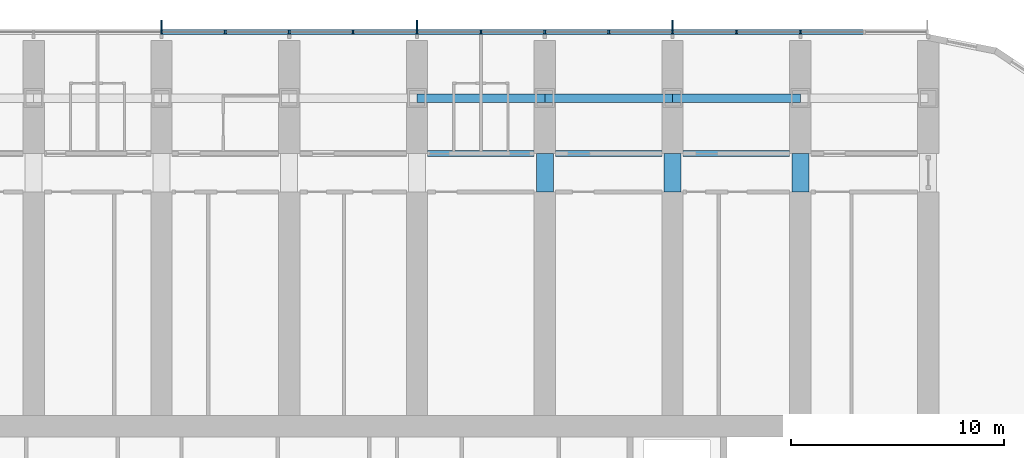
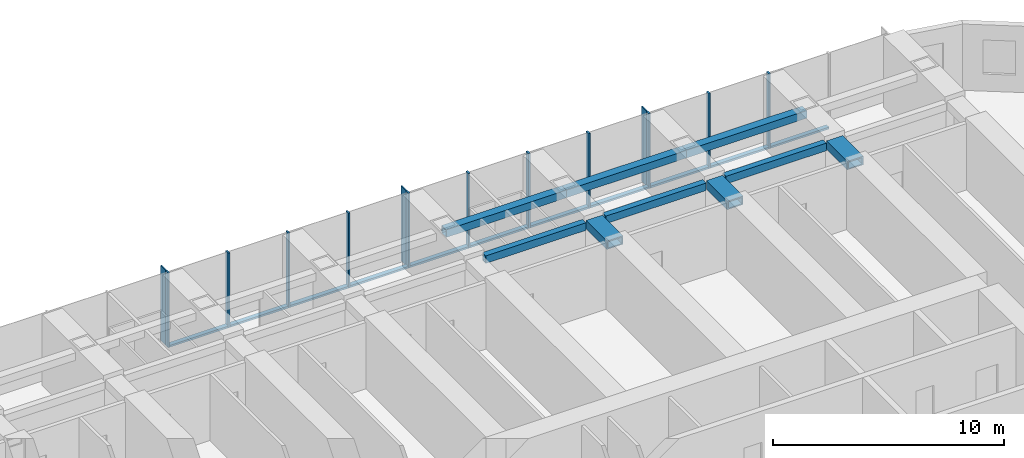
# One storey, part 7 of 26: 25 members, 9 beams, 1 element without a shape of its own.
"""IFC4 building model written with IfcOpenShell, lengths in metres."""

from ifc_helpers import new_model, si_unit, direction, frame, origin, origin_2d, place, context, subcontext, project, spatial, rectangle, hollow_rectangle, extrude, material, material_profile, profile_set, type_object, element, aggregate, save


model = new_model("IFC4")

# Units and contexts
model_context = context("Model", 3, precision=1e-05, world=origin(), true_north=direction((0.0, 1.0)))
body_context = subcontext(model_context, "Body", "Model", "MODEL_VIEW")
ifc_project = project(units=[si_unit("LENGTHUNIT", "METRE"), si_unit("AREAUNIT", "SQUARE_METRE"), si_unit("VOLUMEUNIT", "CUBIC_METRE"), si_unit("PLANEANGLEUNIT", "RADIAN"), si_unit("MASSUNIT", "GRAM", prefix="KILO")], contexts=[model_context])

# Site, building, storey
site_placement = place(None, origin())
site = spatial("IfcSite", under=ifc_project, at=site_placement, CompositionType="ELEMENT")
building_placement = place(site_placement, origin())
building = spatial("IfcBuilding", under=site, at=building_placement, Name="Orbita Commons", CompositionType="ELEMENT")
storey_placement = place(building_placement, frame((0.0, 0.0, 53.949951171875)))
storey = spatial("IfcBuildingStorey", under=building, at=storey_placement, Name="L13", CompositionType="ELEMENT", Elevation=53.949951171875)

# Curtain wall, members
ifc_material_1 = material(Name="Anodised aluminium frame, pale silver", Category="aluminium")
curtain_wall_type = type_object("IfcCurtainWallType", Name="Unitised curtain wall CW-T, vision and spandrel", PredefinedType="NOTDEFINED", material=ifc_material_1)
curtain_wall_placement = place(storey_placement, origin())
curtain_wall = element("IfcCurtainWall", 1, at=curtain_wall_placement, inside=storey, type_object=curtain_wall_type, Name="Curtain wall north L13", PredefinedType="NOTDEFINED")
ifc_material_2 = material(Name="Anodised aluminium, pale silver", Category="aluminium")
ifc_material_profile_1 = material_profile(ifc_material_2, rectangle(XDim=0.080078125, YDim=0.219970703125, at=origin_2d()), Name="AL 80x220")
ifc_profile_set_1 = profile_set([ifc_material_profile_1], Name="Anodised aluminium, pale silver")
member_type_1 = type_object("IfcMemberType", Name="Curtain wall mullion 80x220", PredefinedType="MULLION", material=ifc_profile_set_1)
member_1_placement = place(storey_placement, frame((66.0, 56.7099609375, -0.449951171875), z_axis=(0.0, 0.0, 1.0), x_axis=(-1.0, 0.0, 0.0)))
member_1 = element("IfcMember", 2, at=member_1_placement, type_object=member_type_1, Name="Mullion 3 CW-L13-N", PredefinedType="MULLION", context=body_context, shape_type="SweptSolid", body=[
    extrude(rectangle(XDim=0.080078125, YDim=0.219970703125, at=origin_2d()), origin(), (0.0, 0.0, 1.0), 3.949951171875),
])
member_2_placement = place(storey_placement, frame((63.0, 56.7099609375, -0.449951171875), z_axis=(0.0, 0.0, 1.0), x_axis=(-1.0, 0.0, 0.0)))
member_2 = element("IfcMember", 3, at=member_2_placement, type_object=member_type_1, Name="Mullion 4 CW-L13-N", PredefinedType="MULLION", context=body_context, shape_type="SweptSolid", body=[
    extrude(rectangle(XDim=0.080078125, YDim=0.219970703125, at=origin_2d()), origin(), (0.0, 0.0, 1.0), 3.949951171875),
])
member_3_placement = place(storey_placement, frame((60.0, 56.7099609375, -0.449951171875), z_axis=(0.0, 0.0, 1.0), x_axis=(-1.0, 0.0, 0.0)))
member_3 = element("IfcMember", 4, at=member_3_placement, type_object=member_type_1, Name="Mullion 5 CW-L13-N", PredefinedType="MULLION", context=body_context, shape_type="SweptSolid", body=[
    extrude(rectangle(XDim=0.080078125, YDim=0.219970703125, at=origin_2d()), origin(), (0.0, 0.0, 1.0), 3.949951171875),
])
member_4_placement = place(storey_placement, frame((57.0, 56.7099609375, -0.449951171875), z_axis=(0.0, 0.0, 1.0), x_axis=(-1.0, 0.0, 0.0)))
member_4 = element("IfcMember", 5, at=member_4_placement, type_object=member_type_1, Name="Mullion 6 CW-L13-N", PredefinedType="MULLION", context=body_context, shape_type="SweptSolid", body=[
    extrude(rectangle(XDim=0.080078125, YDim=0.219970703125, at=origin_2d()), origin(), (0.0, 0.0, 1.0), 3.949951171875),
])
member_5_placement = place(storey_placement, frame((54.0, 56.7099609375, -0.449951171875), z_axis=(0.0, 0.0, 1.0), x_axis=(-1.0, 0.0, 0.0)))
member_5 = element("IfcMember", 6, at=member_5_placement, type_object=member_type_1, Name="Mullion 7 CW-L13-N", PredefinedType="MULLION", context=body_context, shape_type="SweptSolid", body=[
    extrude(rectangle(XDim=0.080078125, YDim=0.219970703125, at=origin_2d()), origin(), (0.0, 0.0, 1.0), 3.949951171875),
])
member_6_placement = place(storey_placement, frame((51.0, 56.7099609375, -0.449951171875), z_axis=(0.0, 0.0, 1.0), x_axis=(-1.0, 0.0, 0.0)))
member_6 = element("IfcMember", 7, at=member_6_placement, type_object=member_type_1, Name="Mullion 8 CW-L13-N", PredefinedType="MULLION", context=body_context, shape_type="SweptSolid", body=[
    extrude(rectangle(XDim=0.080078125, YDim=0.219970703125, at=origin_2d()), origin(), (0.0, 0.0, 1.0), 3.949951171875),
])
member_7_placement = place(storey_placement, frame((48.0, 56.7099609375, -0.449951171875), z_axis=(0.0, 0.0, 1.0), x_axis=(-1.0, 0.0, 0.0)))
member_7 = element("IfcMember", 8, at=member_7_placement, type_object=member_type_1, Name="Mullion 9 CW-L13-N", PredefinedType="MULLION", context=body_context, shape_type="SweptSolid", body=[
    extrude(rectangle(XDim=0.080078125, YDim=0.219970703125, at=origin_2d()), origin(), (0.0, 0.0, 1.0), 3.949951171875),
])
member_8_placement = place(storey_placement, frame((45.0, 56.7099609375, -0.449951171875), z_axis=(0.0, 0.0, 1.0), x_axis=(-1.0, 0.0, 0.0)))
member_8 = element("IfcMember", 9, at=member_8_placement, type_object=member_type_1, Name="Mullion 10 CW-L13-N", PredefinedType="MULLION", context=body_context, shape_type="SweptSolid", body=[
    extrude(rectangle(XDim=0.080078125, YDim=0.219970703125, at=origin_2d()), origin(), (0.0, 0.0, 1.0), 3.949951171875),
])
member_9_placement = place(storey_placement, frame((42.0, 56.7099609375, -0.449951171875), z_axis=(0.0, 0.0, 1.0), x_axis=(-1.0, 0.0, 0.0)))
member_9 = element("IfcMember", 10, at=member_9_placement, type_object=member_type_1, Name="Mullion 11 CW-L13-N", PredefinedType="MULLION", context=body_context, shape_type="SweptSolid", body=[
    extrude(rectangle(XDim=0.080078125, YDim=0.219970703125, at=origin_2d()), origin(), (0.0, 0.0, 1.0), 3.949951171875),
])
member_10_placement = place(storey_placement, frame((39.0, 56.7099609375, -0.449951171875), z_axis=(0.0, 0.0, 1.0), x_axis=(-1.0, 0.0, 0.0)))
member_10 = element("IfcMember", 11, at=member_10_placement, type_object=member_type_1, Name="Mullion 12 CW-L13-N", PredefinedType="MULLION", context=body_context, shape_type="SweptSolid", body=[
    extrude(rectangle(XDim=0.080078125, YDim=0.219970703125, at=origin_2d()), origin(), (0.0, 0.0, 1.0), 3.949951171875),
])
member_11_placement = place(storey_placement, frame((36.0, 56.7099609375, -0.449951171875), z_axis=(0.0, 0.0, 1.0), x_axis=(-1.0, 0.0, 0.0)))
member_11 = element("IfcMember", 12, at=member_11_placement, type_object=member_type_1, Name="Mullion 13 CW-L13-N", PredefinedType="MULLION", context=body_context, shape_type="SweptSolid", body=[
    extrude(rectangle(XDim=0.080078125, YDim=0.219970703125, at=origin_2d()), origin(), (0.0, 0.0, 1.0), 3.949951171875),
])
ifc_material_3 = material(Name="Anodised aluminium, pale silver", Category="aluminium")
ifc_material_profile_2 = material_profile(ifc_material_3, rectangle(XDim=0.219970703125, YDim=0.10009765625, at=origin_2d()), Name="AL 220x100")
ifc_profile_set_2 = profile_set([ifc_material_profile_2], Name="Anodised aluminium, pale silver")
member_type_2 = type_object("IfcMemberType", Name="Curtain wall stack transom 220x100", PredefinedType="USERDEFINED", material=ifc_profile_set_2)
member_12_placement = place(storey_placement, frame((68.9599609375, 56.7099609375, -0.39990234375), z_axis=(-1.0, 0.0, 0.0), x_axis=(0.0, -1.0, 0.0)))
member_12 = element("IfcMember", 13, at=member_12_placement, type_object=member_type_2, Name="Transom 2.1 CW-L13-N", ObjectType="TRANSOM", PredefinedType="USERDEFINED", context=body_context, shape_type="SweptSolid", body=[
    extrude(rectangle(XDim=0.219970703125, YDim=0.10009765625, at=origin_2d()), origin(), (0.0, 0.0, 1.0), 2.919921875),
])
member_13_placement = place(storey_placement, frame((65.9599609375, 56.7099609375, -0.39990234375), z_axis=(-1.0, 0.0, 0.0), x_axis=(0.0, -1.0, 0.0)))
member_13 = element("IfcMember", 14, at=member_13_placement, type_object=member_type_2, Name="Transom 3.1 CW-L13-N", ObjectType="TRANSOM", PredefinedType="USERDEFINED", context=body_context, shape_type="SweptSolid", body=[
    extrude(rectangle(XDim=0.219970703125, YDim=0.10009765625, at=origin_2d()), origin(), (0.0, 0.0, 1.0), 2.919921875),
])
member_14_placement = place(storey_placement, frame((62.9599609375, 56.7099609375, -0.39990234375), z_axis=(-1.0, 0.0, 0.0), x_axis=(0.0, -1.0, 0.0)))
member_14 = element("IfcMember", 15, at=member_14_placement, type_object=member_type_2, Name="Transom 4.1 CW-L13-N", ObjectType="TRANSOM", PredefinedType="USERDEFINED", context=body_context, shape_type="SweptSolid", body=[
    extrude(rectangle(XDim=0.219970703125, YDim=0.10009765625, at=origin_2d()), origin(), (0.0, 0.0, 1.0), 2.919921875),
])
member_15_placement = place(storey_placement, frame((59.9599609375, 56.7099609375, -0.39990234375), z_axis=(-1.0, 0.0, 0.0), x_axis=(0.0, -1.0, 0.0)))
member_15 = element("IfcMember", 16, at=member_15_placement, type_object=member_type_2, Name="Transom 5.1 CW-L13-N", ObjectType="TRANSOM", PredefinedType="USERDEFINED", context=body_context, shape_type="SweptSolid", body=[
    extrude(rectangle(XDim=0.219970703125, YDim=0.10009765625, at=origin_2d()), origin(), (0.0, 0.0, 1.0), 2.919921875),
])
member_16_placement = place(storey_placement, frame((56.9599609375, 56.7099609375, -0.39990234375), z_axis=(-1.0, 0.0, 0.0), x_axis=(0.0, -1.0, 0.0)))
member_16 = element("IfcMember", 17, at=member_16_placement, type_object=member_type_2, Name="Transom 6.1 CW-L13-N", ObjectType="TRANSOM", PredefinedType="USERDEFINED", context=body_context, shape_type="SweptSolid", body=[
    extrude(rectangle(XDim=0.219970703125, YDim=0.10009765625, at=origin_2d()), origin(), (0.0, 0.0, 1.0), 2.919921875),
])
member_17_placement = place(storey_placement, frame((53.9599609375, 56.7099609375, -0.39990234375), z_axis=(-1.0, 0.0, 0.0), x_axis=(0.0, -1.0, 0.0)))
member_17 = element("IfcMember", 18, at=member_17_placement, type_object=member_type_2, Name="Transom 7.1 CW-L13-N", ObjectType="TRANSOM", PredefinedType="USERDEFINED", context=body_context, shape_type="SweptSolid", body=[
    extrude(rectangle(XDim=0.219970703125, YDim=0.10009765625, at=origin_2d()), origin(), (0.0, 0.0, 1.0), 2.919921875),
])
member_18_placement = place(storey_placement, frame((50.9599609375, 56.7099609375, -0.39990234375), z_axis=(-1.0, 0.0, 0.0), x_axis=(0.0, -1.0, 0.0)))
member_18 = element("IfcMember", 19, at=member_18_placement, type_object=member_type_2, Name="Transom 8.1 CW-L13-N", ObjectType="TRANSOM", PredefinedType="USERDEFINED", context=body_context, shape_type="SweptSolid", body=[
    extrude(rectangle(XDim=0.219970703125, YDim=0.10009765625, at=origin_2d()), origin(), (0.0, 0.0, 1.0), 2.919921875),
])
member_19_placement = place(storey_placement, frame((47.9599609375, 56.7099609375, -0.39990234375), z_axis=(-1.0, 0.0, 0.0), x_axis=(0.0, -1.0, 0.0)))
member_19 = element("IfcMember", 20, at=member_19_placement, type_object=member_type_2, Name="Transom 9.1 CW-L13-N", ObjectType="TRANSOM", PredefinedType="USERDEFINED", context=body_context, shape_type="SweptSolid", body=[
    extrude(rectangle(XDim=0.219970703125, YDim=0.10009765625, at=origin_2d()), origin(), (0.0, 0.0, 1.0), 2.919921875),
])
member_20_placement = place(storey_placement, frame((44.9599609375, 56.7099609375, -0.39990234375), z_axis=(-1.0, 0.0, 0.0), x_axis=(0.0, -1.0, 0.0)))
member_20 = element("IfcMember", 21, at=member_20_placement, type_object=member_type_2, Name="Transom 10.1 CW-L13-N", ObjectType="TRANSOM", PredefinedType="USERDEFINED", context=body_context, shape_type="SweptSolid", body=[
    extrude(rectangle(XDim=0.219970703125, YDim=0.10009765625, at=origin_2d()), origin(), (0.0, 0.0, 1.0), 2.919921875),
])
member_21_placement = place(storey_placement, frame((41.9599609375, 56.7099609375, -0.39990234375), z_axis=(-1.0, 0.0, 0.0), x_axis=(0.0, -1.0, 0.0)))
member_21 = element("IfcMember", 22, at=member_21_placement, type_object=member_type_2, Name="Transom 11.1 CW-L13-N", ObjectType="TRANSOM", PredefinedType="USERDEFINED", context=body_context, shape_type="SweptSolid", body=[
    extrude(rectangle(XDim=0.219970703125, YDim=0.10009765625, at=origin_2d()), origin(), (0.0, 0.0, 1.0), 2.919921875),
])
member_22_placement = place(storey_placement, frame((38.9599609375, 56.7099609375, -0.39990234375), z_axis=(-1.0, 0.0, 0.0), x_axis=(0.0, -1.0, 0.0)))
member_22 = element("IfcMember", 23, at=member_22_placement, type_object=member_type_2, Name="Transom 12.1 CW-L13-N", ObjectType="TRANSOM", PredefinedType="USERDEFINED", context=body_context, shape_type="SweptSolid", body=[
    extrude(rectangle(XDim=0.219970703125, YDim=0.10009765625, at=origin_2d()), origin(), (0.0, 0.0, 1.0), 2.919921875),
])

# Beams
ifc_material_4 = material(Name="Steel ASTM A572 Gr 50 welded plate", Category="steel")
ifc_material_profile_3 = material_profile(ifc_material_4, hollow_rectangle(XDim=0.300048828125, YDim=0.39990234375, WallThickness=0.0400390625, at=origin_2d()), Name="BOX 400x300x40")
ifc_profile_set_3 = profile_set([ifc_material_profile_3], Name="Steel ASTM A572 Gr 50 welded plate")
beam_type_1 = type_object("IfcBeamType", Name="Steel corridor link BOX 400x300x40", PredefinedType="BEAM", material=ifc_profile_set_3)
for number, where, z_axis, x_axis, name in (
    (24, (48.5, 51.0, 3.300048828125), (1.0, 0.0, 0.0), (0.0, 1.0, 0.0), "Corridor beam NB 9-10 L13"),
    (25, (54.5, 51.0, 3.300048828125), (1.0, 0.0, 0.0), (0.0, 1.0, 0.0), "Corridor beam NB 10-11 L13"),
    (26, (60.5, 51.0, 3.300048828125), (1.0, 0.0, 0.0), (0.0, 1.0, 0.0), "Corridor beam NB 11-12 L13"),
):
    element("IfcBeam", number, at=place(storey_placement, frame(where, z_axis=z_axis, x_axis=x_axis)), inside=storey, type_object=beam_type_1, Name=name, PredefinedType="BEAM", context=body_context, shape_type="SweptSolid", body=[
        extrude(hollow_rectangle(XDim=0.300048828125, YDim=0.39990234375, WallThickness=0.0400390625, at=origin_2d()), origin(), (0.0, 0.0, 1.0), 5.0),
    ])
ifc_material_5 = material(Name="Steel ASTM A572 Gr 50 welded plate", Category="steel")
ifc_material_profile_4 = material_profile(ifc_material_5, hollow_rectangle(XDim=0.800048828125, YDim=0.449951171875, WallThickness=0.06005859375, at=origin_2d()), Name="BOX 450x800x60")
ifc_profile_set_4 = profile_set([ifc_material_profile_4], Name="Steel ASTM A572 Gr 50 welded plate")
beam_type_2 = type_object("IfcBeamType", Name="Steel coupling link BOX 450x800x60", PredefinedType="LINTEL", material=ifc_profile_set_4)
for number, where, z_axis, x_axis, name in (
    (27, (54.0, 49.199951171875, 3.275146484375), (0.0, 1.0, 0.0), (-1.0, 0.0, 0.0), "Coupling beam 10 north L13"),
    (28, (60.0, 49.199951171875, 3.275146484375), (0.0, 1.0, 0.0), (-1.0, 0.0, 0.0), "Coupling beam 11 north L13"),
    (29, (66.0, 49.199951171875, 3.275146484375), (0.0, 1.0, 0.0), (-1.0, 0.0, 0.0), "Coupling beam 12 north L13"),
):
    element("IfcBeam", number, at=place(storey_placement, frame(where, z_axis=z_axis, x_axis=x_axis)), inside=storey, type_object=beam_type_2, Name=name, PredefinedType="LINTEL", context=body_context, shape_type="SweptSolid", body=[
        extrude(hollow_rectangle(XDim=0.800048828125, YDim=0.449951171875, WallThickness=0.06005859375, at=origin_2d()), origin(), (0.0, 0.0, 1.0), 1.800048828125),
    ])
ifc_material_6 = material(Name="Steel ASTM A572 Gr 50 welded plate", Category="steel")
ifc_material_profile_5 = material_profile(ifc_material_6, hollow_rectangle(XDim=0.39990234375, YDim=0.39990234375, WallThickness=0.0400390625, at=origin_2d()), Name="BOX 400x400x40")
ifc_profile_set_5 = profile_set([ifc_material_profile_5], Name="Steel ASTM A572 Gr 50 welded plate")
beam_type_3 = type_object("IfcBeamType", Name="Steel spandrel BOX 400x400x40", PredefinedType="SPANDREL", material=ifc_profile_set_5)
for number, where, z_axis, x_axis, name in (
    (30, (48.0, 53.60009765625, 3.300048828125), (1.0, 0.0, 0.0), (0.0, 1.0, 0.0), "Spandrel beam E 9-10 L13"),
    (31, (54.0, 53.60009765625, 3.300048828125), (1.0, 0.0, 0.0), (0.0, 1.0, 0.0), "Spandrel beam E 10-11 L13"),
    (32, (60.0, 53.60009765625, 3.300048828125), (1.0, 0.0, 0.0), (0.0, 1.0, 0.0), "Spandrel beam E 11-12 L13"),
):
    element("IfcBeam", number, at=place(storey_placement, frame(where, z_axis=z_axis, x_axis=x_axis)), inside=storey, type_object=beam_type_3, Name=name, PredefinedType="SPANDREL", context=body_context, shape_type="SweptSolid", body=[
        extrude(hollow_rectangle(XDim=0.39990234375, YDim=0.39990234375, WallThickness=0.0400390625, at=origin_2d()), origin(), (0.0, 0.0, 1.0), 6.0),
    ])

# Member
ifc_material_7 = material(Name="Anodised aluminium, pale silver", Category="aluminium")
ifc_material_profile_6 = material_profile(ifc_material_7, rectangle(XDim=0.06005859375, YDim=0.449951171875, at=origin_2d()), Name="FIN 60x450")
ifc_profile_set_6 = profile_set([ifc_material_profile_6], Name="Anodised aluminium, pale silver")
member_type_3 = type_object("IfcMemberType", Name="Vertical fin 60x450 pale aluminium", PredefinedType="USERDEFINED", material=ifc_profile_set_6)
member_23_placement = place(storey_placement, frame((60.0, 57.044921875, -0.449951171875), z_axis=(0.0, 0.0, 1.0), x_axis=(-1.0, 0.0, 0.0)))
member_23 = element("IfcMember", 33, at=member_23_placement, type_object=member_type_3, Name="Fin 5 CW-L13-N", ObjectType="FIN", PredefinedType="USERDEFINED", context=body_context, shape_type="SweptSolid", body=[
    extrude(rectangle(XDim=0.06005859375, YDim=0.449951171875, at=origin_2d()), origin(), (0.0, 0.0, 1.0), 3.949951171875),
])

member_24_placement = place(storey_placement, frame((48.0, 57.044921875, -0.449951171875), z_axis=(0.0, 0.0, 1.0), x_axis=(-1.0, 0.0, 0.0)))
member_24 = element("IfcMember", 34, at=member_24_placement, type_object=member_type_3, Name="Fin 9 CW-L13-N", ObjectType="FIN", PredefinedType="USERDEFINED", context=body_context, shape_type="SweptSolid", body=[
    extrude(rectangle(XDim=0.06005859375, YDim=0.449951171875, at=origin_2d()), origin(), (0.0, 0.0, 1.0), 3.949951171875),
])

member_25_placement = place(storey_placement, frame((36.0, 57.044921875, -0.449951171875), z_axis=(0.0, 0.0, 1.0), x_axis=(-1.0, 0.0, 0.0)))
member_25 = element("IfcMember", 35, at=member_25_placement, type_object=member_type_3, Name="Fin 13 CW-L13-N", ObjectType="FIN", PredefinedType="USERDEFINED", context=body_context, shape_type="SweptSolid", body=[
    extrude(rectangle(XDim=0.06005859375, YDim=0.449951171875, at=origin_2d()), origin(), (0.0, 0.0, 1.0), 3.949951171875),
])

aggregate(curtain_wall, [member_1, member_2, member_3, member_23, member_4, member_5, member_6, member_7, member_24, member_8, member_9, member_10, member_11, member_25, member_12, member_13, member_14, member_15, member_16, member_17, member_18, member_19, member_20, member_21, member_22])

save(model, "model.ifc")
